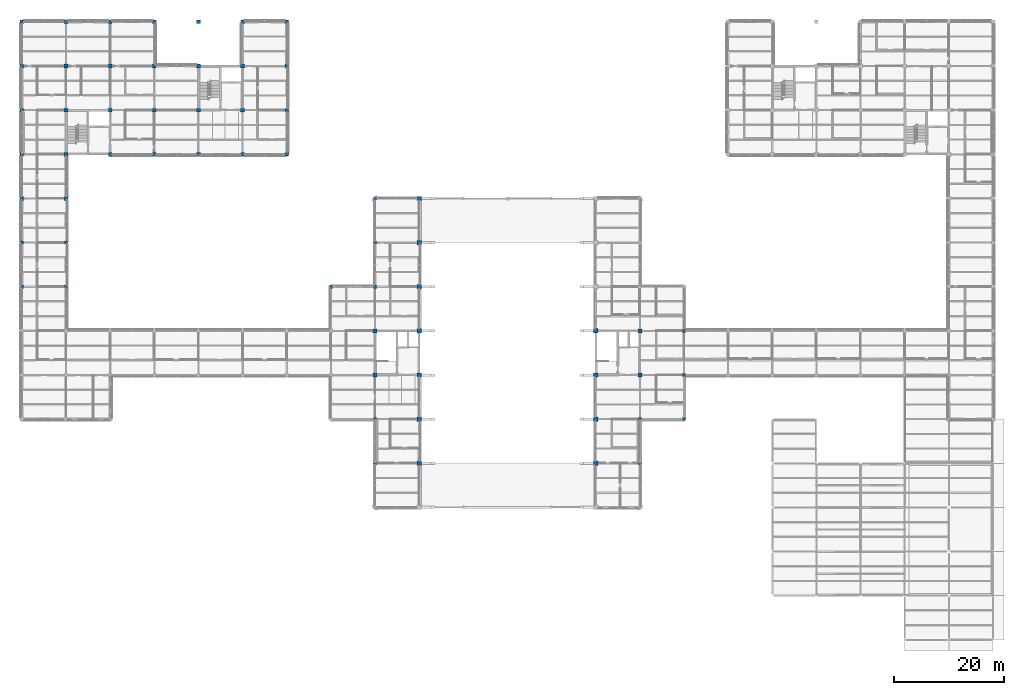
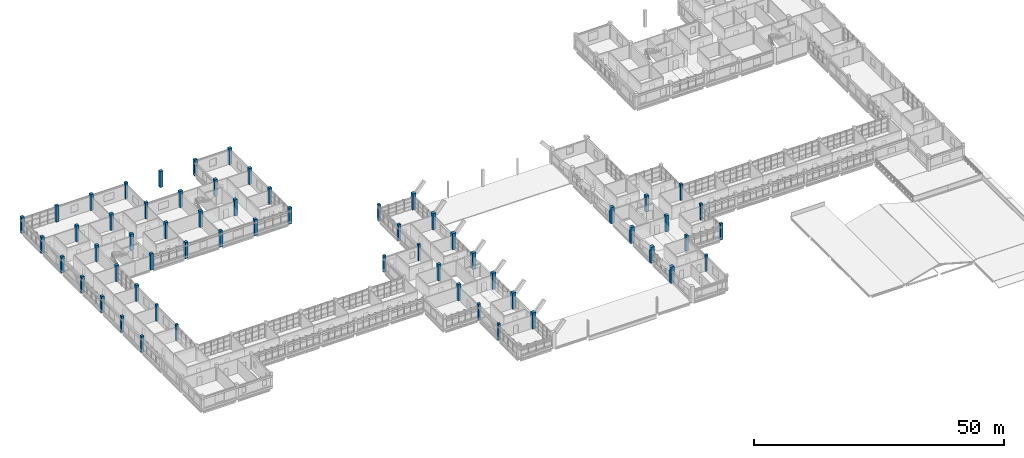
# One storey, part 3 of 92: 60 columns.
"""IFC4 building model written with IfcOpenShell, lengths in metres."""

from ifc_helpers import new_model, si_unit, derived_unit, direction, frame, origin, origin_2d, place, context, subcontext, project, spatial, rectangle, extrude, material, material_profile, profile_set, type_object, element, save


model = new_model("IFC4")

# Units and contexts
model_context = context("Model", 3, precision=1e-05, world=origin(), true_north=direction((0.0, 1.0)))
body_context = subcontext(model_context, "Body", "Model", "MODEL_VIEW")
ifc_project = project(units=[si_unit("LENGTHUNIT", "METRE"), si_unit("AREAUNIT", "SQUARE_METRE"), si_unit("VOLUMEUNIT", "CUBIC_METRE"), si_unit("PLANEANGLEUNIT", "RADIAN"), si_unit("MASSUNIT", "GRAM", prefix="KILO"), derived_unit("THERMALTRANSMITTANCEUNIT", [(si_unit("MASSUNIT", "GRAM", prefix="KILO"), 1), (si_unit("TIMEUNIT", "SECOND"), -3), (si_unit("THERMODYNAMICTEMPERATUREUNIT", "KELVIN"), -1)])], contexts=[model_context])

# Site, building, storey
site_placement = place(None, origin())
site = spatial("IfcSite", under=ifc_project, at=site_placement, CompositionType="ELEMENT")
building_placement = place(site_placement, origin())
building = spatial("IfcBuilding", under=site, at=building_placement, Name="Veyamyaing Civic Hall", CompositionType="ELEMENT")
storey_placement = place(building_placement, frame((0.0, 0.0, 17.820068359375)))
storey = spatial("IfcBuildingStorey", under=building, at=storey_placement, Name="L04", CompositionType="ELEMENT", Elevation=17.820068359375)

# Columns
ifc_material = material(Name="Concrete C45/55", Category="concrete")
ifc_material_profile_1 = material_profile(ifc_material, rectangle(XDim=0.800048828125, YDim=0.800048828125, at=origin_2d()), Name="RC-COL-800X800")
ifc_profile_set_1 = profile_set([ifc_material_profile_1], Name="Concrete C45/55")
column_type_1 = type_object("IfcColumnType", Name="C-02", PredefinedType="COLUMN", material=ifc_profile_set_1)
for number, where, z_axis, x_axis, name in (
    (1, (72.0, 32.0, 0.0), (0.0, 0.0, 1.0), (1.0, 0.0, 0.0), "Column C-02 10-E L04"),
    (2, (72.0, 40.0, 0.0), (0.0, 0.0, 1.0), (1.0, 0.0, 0.0), "Column C-02 10-F L04"),
    (3, (72.0, 48.0, 0.0), (0.0, 0.0, 1.0), (1.0, 0.0, 0.0), "Column C-02 10-G L04"),
    (4, (72.0, 56.0, 0.0), (0.0, 0.0, 1.0), (1.0, 0.0, 0.0), "Column C-02 10-H L04"),
    (5, (72.0, 64.0, 0.0), (0.0, 0.0, 1.0), (1.0, 0.0, 0.0), "Column C-02 10-J L04"),
    (6, (72.0, 72.0, 0.0), (0.0, 0.0, 1.0), (1.0, 0.0, 0.0), "Column C-02 10-K L04"),
    (7, (72.0, 80.0, 0.0), (0.0, 0.0, 1.0), (1.0, 0.0, 0.0), "Column C-02 10-L L04"),
    (8, (104.0, 32.0, 0.0), (0.0, 0.0, 1.0), (1.0, 0.0, 0.0), "Column C-02 14-E L04"),
    (9, (104.0, 40.0, 0.0), (0.0, 0.0, 1.0), (1.0, 0.0, 0.0), "Column C-02 14-F L04"),
    (10, (104.0, 48.0, 0.0), (0.0, 0.0, 1.0), (1.0, 0.0, 0.0), "Column C-02 14-G L04"),
    (11, (104.0, 56.0, 0.0), (0.0, 0.0, 1.0), (1.0, 0.0, 0.0), "Column C-02 14-H L04"),
):
    element("IfcColumn", number, at=place(storey_placement, frame(where, z_axis=z_axis, x_axis=x_axis)), inside=storey, type_object=column_type_1, Name=name, PredefinedType="COLUMN", context=body_context, shape_type="SweptSolid", body=[
        extrude(rectangle(XDim=0.800048828125, YDim=0.800048828125, at=origin_2d()), origin(), (0.0, 0.0, 1.0), 3.9599609375),
    ])
ifc_material_profile_2 = material_profile(ifc_material, rectangle(XDim=0.699951171875, YDim=0.699951171875, at=origin_2d()), Name="RC-COL-700X700")
ifc_profile_set_2 = profile_set([ifc_material_profile_2], Name="Concrete C45/55")
column_type_2 = type_object("IfcColumnType", Name="C-04", PredefinedType="COLUMN", material=ifc_profile_set_2)
for number, where, z_axis, x_axis, name in (
    (12, (8.0, 88.0, 0.0), (0.0, 0.0, 1.0), (1.0, 0.0, 0.0), "Column C-04 2-M L04"),
    (13, (8.0, 96.0, 0.0), (0.0, 0.0, 1.0), (1.0, 0.0, 0.0), "Column C-04 2-N L04"),
    (14, (16.0, 88.0, 0.0), (0.0, 0.0, 1.0), (1.0, 0.0, 0.0), "Column C-04 3-M L04"),
    (15, (16.0, 96.0, 0.0), (0.0, 0.0, 1.0), (1.0, 0.0, 0.0), "Column C-04 3-N L04"),
    (16, (32.0, 96.0, 0.0), (0.0, 0.0, 1.0), (1.0, 0.0, 0.0), "Column C-04 5-N L04"),
    (17, (32.0, 104.0, 0.0), (0.0, 0.0, 1.0), (1.0, 0.0, 0.0), "Column C-04 5-P L04"),
    (18, (40.0, 96.0, 0.0), (0.0, 0.0, 1.0), (1.0, 0.0, 0.0), "Column C-04 6-N L04"),
    (19, (40.0, 104.0, 0.0), (0.0, 0.0, 1.0), (1.0, 0.0, 0.0), "Column C-04 6-P L04"),
    (20, (64.0, 48.0, 0.0), (0.0, 0.0, 1.0), (1.0, 0.0, 0.0), "Column C-04 9-G L04"),
    (21, (64.0, 56.0, 0.0), (0.0, 0.0, 1.0), (1.0, 0.0, 0.0), "Column C-04 9-H L04"),
    (22, (112.0, 48.0, 0.0), (0.0, 0.0, 1.0), (1.0, 0.0, 0.0), "Column C-04 15-G L04"),
    (23, (112.0, 56.0, 0.0), (0.0, 0.0, 1.0), (1.0, 0.0, 0.0), "Column C-04 15-H L04"),
):
    element("IfcColumn", number, at=place(storey_placement, frame(where, z_axis=z_axis, x_axis=x_axis)), inside=storey, type_object=column_type_2, Name=name, PredefinedType="COLUMN", context=body_context, shape_type="SweptSolid", body=[
        extrude(rectangle(XDim=0.699951171875, YDim=0.699951171875, at=origin_2d()), origin(), (0.0, 0.0, 1.0), 3.9599609375),
    ])
ifc_material_profile_3 = material_profile(ifc_material, rectangle(XDim=0.64990234375, YDim=0.64990234375, at=origin_2d()), Name="RC-COL-650X650")
ifc_profile_set_3 = profile_set([ifc_material_profile_3], Name="Concrete C45/55")
column_type_3 = type_object("IfcColumnType", Name="C-05", PredefinedType="COLUMN", material=ifc_profile_set_3)
for number, where, z_axis, x_axis, name in (
    (24, (0.0, 80.0, 0.0), (0.0, 0.0, 1.0), (1.0, 0.0, 0.0), "Column C-05 1-L L04"),
    (25, (0.0, 88.0, 0.0), (0.0, 0.0, 1.0), (1.0, 0.0, 0.0), "Column C-05 1-M L04"),
    (26, (0.0, 96.0, 0.0), (0.0, 0.0, 1.0), (1.0, 0.0, 0.0), "Column C-05 1-N L04"),
    (27, (0.0, 104.0, 0.0), (0.0, 0.0, 1.0), (1.0, 0.0, 0.0), "Column C-05 1-P L04"),
    (28, (0.0, 112.0, 0.0), (0.0, 0.0, 1.0), (1.0, 0.0, 0.0), "Column C-05 1-Q L04"),
    (29, (8.0, 80.0, 0.0), (0.0, 0.0, 1.0), (1.0, 0.0, 0.0), "Column C-05 2-L L04"),
    (30, (8.0, 104.0, 0.0), (0.0, 0.0, 1.0), (1.0, 0.0, 0.0), "Column C-05 2-P L04"),
    (31, (8.0, 112.0, 0.0), (0.0, 0.0, 1.0), (1.0, 0.0, 0.0), "Column C-05 2-Q L04"),
    (32, (16.0, 104.0, 0.0), (0.0, 0.0, 1.0), (1.0, 0.0, 0.0), "Column C-05 3-P L04"),
    (33, (16.0, 112.0, 0.0), (0.0, 0.0, 1.0), (1.0, 0.0, 0.0), "Column C-05 3-Q L04"),
    (34, (24.0, 88.0, 0.0), (0.0, 0.0, 1.0), (1.0, 0.0, 0.0), "Column C-05 4-M L04"),
    (35, (24.0, 96.0, 0.0), (0.0, 0.0, 1.0), (1.0, 0.0, 0.0), "Column C-05 4-N L04"),
    (36, (24.0, 104.0, 0.0), (0.0, 0.0, 1.0), (1.0, 0.0, 0.0), "Column C-05 4-P L04"),
    (37, (24.0, 112.0, 0.0), (0.0, 0.0, 1.0), (1.0, 0.0, 0.0), "Column C-05 4-Q L04"),
    (38, (32.0, 88.0, 0.0), (0.0, 0.0, 1.0), (1.0, 0.0, 0.0), "Column C-05 5-M L04"),
    (39, (32.0, 112.0, 0.0), (0.0, 0.0, 1.0), (1.0, 0.0, 0.0), "Column C-05 5-Q L04"),
    (40, (40.0, 88.0, 0.0), (0.0, 0.0, 1.0), (1.0, 0.0, 0.0), "Column C-05 6-M L04"),
    (41, (40.0, 112.0, 0.0), (0.0, 0.0, 1.0), (1.0, 0.0, 0.0), "Column C-05 6-Q L04"),
    (42, (48.0, 88.0, 0.0), (0.0, 0.0, 1.0), (1.0, 0.0, 0.0), "Column C-05 7-M L04"),
    (43, (48.0, 96.0, 0.0), (0.0, 0.0, 1.0), (1.0, 0.0, 0.0), "Column C-05 7-N L04"),
    (44, (48.0, 104.0, 0.0), (0.0, 0.0, 1.0), (1.0, 0.0, 0.0), "Column C-05 7-P L04"),
    (45, (48.0, 112.0, 0.0), (0.0, 0.0, 1.0), (1.0, 0.0, 0.0), "Column C-05 7-Q L04"),
):
    element("IfcColumn", number, at=place(storey_placement, frame(where, z_axis=z_axis, x_axis=x_axis)), inside=storey, type_object=column_type_3, Name=name, PredefinedType="COLUMN", context=body_context, shape_type="SweptSolid", body=[
        extrude(rectangle(XDim=0.64990234375, YDim=0.64990234375, at=origin_2d()), origin(), (0.0, 0.0, 1.0), 3.9599609375),
    ])
ifc_material_profile_4 = material_profile(ifc_material, rectangle(XDim=0.550048828125, YDim=0.550048828125, at=origin_2d()), Name="RC-COL-550X550")
ifc_profile_set_4 = profile_set([ifc_material_profile_4], Name="Concrete C45/55")
column_type_4 = type_object("IfcColumnType", Name="C-07", PredefinedType="COLUMN", material=ifc_profile_set_4)
for number, where, z_axis, x_axis, name in (
    (46, (0.0, 64.0, 0.0), (0.0, 0.0, 1.0), (1.0, 0.0, 0.0), "Column C-07 1-J L04"),
    (47, (0.0, 72.0, 0.0), (0.0, 0.0, 1.0), (1.0, 0.0, 0.0), "Column C-07 1-K L04"),
    (48, (8.0, 64.0, 0.0), (0.0, 0.0, 1.0), (1.0, 0.0, 0.0), "Column C-07 2-J L04"),
    (49, (8.0, 72.0, 0.0), (0.0, 0.0, 1.0), (1.0, 0.0, 0.0), "Column C-07 2-K L04"),
    (50, (56.0, 64.0, 0.0), (0.0, 0.0, 1.0), (1.0, 0.0, 0.0), "Column C-07 8-J L04"),
    (51, (64.0, 32.0, 0.0), (0.0, 0.0, 1.0), (1.0, 0.0, 0.0), "Column C-07 9-E L04"),
    (52, (64.0, 40.0, 0.0), (0.0, 0.0, 1.0), (1.0, 0.0, 0.0), "Column C-07 9-F L04"),
    (53, (64.0, 64.0, 0.0), (0.0, 0.0, 1.0), (1.0, 0.0, 0.0), "Column C-07 9-J L04"),
    (54, (64.0, 72.0, 0.0), (0.0, 0.0, 1.0), (1.0, 0.0, 0.0), "Column C-07 9-K L04"),
    (55, (64.0, 80.0, 0.0), (0.0, 0.0, 1.0), (1.0, 0.0, 0.0), "Column C-07 9-L L04"),
    (56, (112.0, 32.0, 0.0), (0.0, 0.0, 1.0), (1.0, 0.0, 0.0), "Column C-07 15-E L04"),
    (57, (112.0, 40.0, 0.0), (0.0, 0.0, 1.0), (1.0, 0.0, 0.0), "Column C-07 15-F L04"),
    (58, (120.0, 40.0, 0.0), (0.0, 0.0, 1.0), (1.0, 0.0, 0.0), "Column C-07 16-F L04"),
    (59, (120.0, 48.0, 0.0), (0.0, 0.0, 1.0), (1.0, 0.0, 0.0), "Column C-07 16-G L04"),
    (60, (120.0, 56.0, 0.0), (0.0, 0.0, 1.0), (1.0, 0.0, 0.0), "Column C-07 16-H L04"),
):
    element("IfcColumn", number, at=place(storey_placement, frame(where, z_axis=z_axis, x_axis=x_axis)), inside=storey, type_object=column_type_4, Name=name, PredefinedType="COLUMN", context=body_context, shape_type="SweptSolid", body=[
        extrude(rectangle(XDim=0.550048828125, YDim=0.550048828125, at=origin_2d()), origin(), (0.0, 0.0, 1.0), 3.9599609375),
    ])

save(model, "model.ifc")
